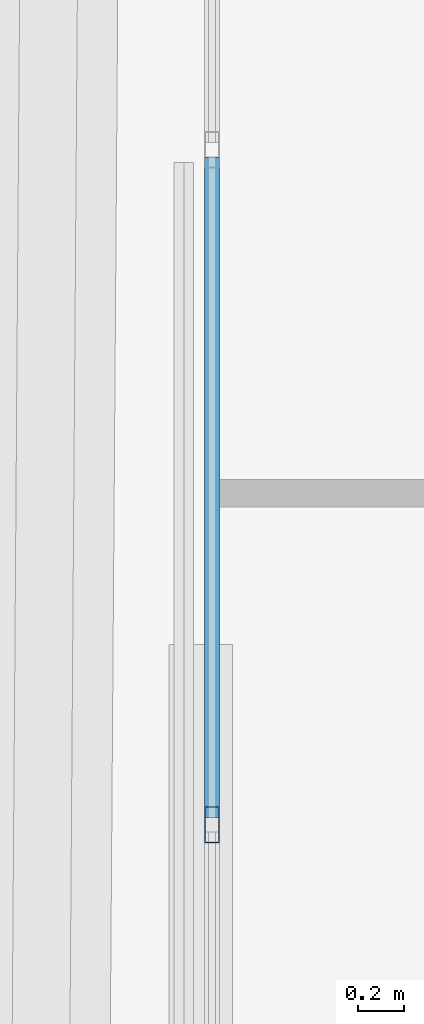
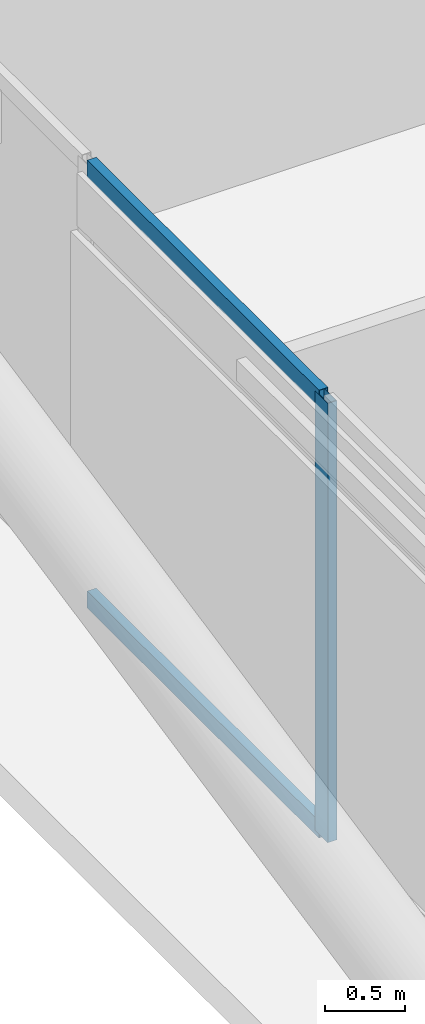
# One storey, part 5 of 50: 3 members, 1 element without a shape of its own.
"""IFC4 building model written with IfcOpenShell, lengths in metres."""

from ifc_helpers import new_model, si_unit, direction, frame, origin, origin_2d, place, context, subcontext, project, spatial, hollow_rectangle, extrude, material, layer, layer_set, material_profile, profile_set, type_object, element, aggregate, save


model = new_model("IFC4")

# Units and contexts
model_context = context("Model", 3, precision=1e-05, world=origin(), true_north=direction((0.0, 1.0)))
body_context = subcontext(model_context, "Body", "Model", "MODEL_VIEW")
ifc_project = project(units=[si_unit("LENGTHUNIT", "METRE"), si_unit("AREAUNIT", "SQUARE_METRE"), si_unit("VOLUMEUNIT", "CUBIC_METRE"), si_unit("PLANEANGLEUNIT", "RADIAN"), si_unit("MASSUNIT", "GRAM", prefix="KILO")], contexts=[model_context])

# Site, building, storey
site_placement = place(None, origin())
site = spatial("IfcSite", under=ifc_project, at=site_placement, CompositionType="ELEMENT")
building_placement = place(site_placement, origin())
building = spatial("IfcBuilding", under=site, at=building_placement, Name="Caelvoria Tower", CompositionType="ELEMENT")
storey_placement = place(building_placement, frame((0.0, 0.0, 71.199951171875)))
storey = spatial("IfcBuildingStorey", under=building, at=storey_placement, Name="L18", CompositionType="ELEMENT", Elevation=71.199951171875)

# Curtain wall, members
ifc_material_1 = material(Name="Anodised Bronze Aluminium and Low-E Glass", Category="aluminium")
ifc_layer = layer(ifc_material_1, 0.18505859375, Name="Anodised Bronze Aluminium and Low-E Glass")
ifc_layer_set = layer_set([ifc_layer], Name="CW System 2 Lower Tower Bronze Unitised Facade - Anodised Bronze Aluminium and Low-E Glass")
curtain_wall_type = type_object("IfcCurtainWallType", Name="CW System 2 Lower Tower Bronze Unitised Facade", PredefinedType="NOTDEFINED", material=ifc_layer_set)
curtain_wall_placement = place(storey_placement, origin())
curtain_wall = element("IfcCurtainWall", 1, at=curtain_wall_placement, inside=storey, type_object=curtain_wall_type, Name="CW-02 Curtain Wall L18-E6", PredefinedType="NOTDEFINED")
ifc_material_2 = material(Name="Anodised Bronze Architectural Aluminium", Category="aluminium")
ifc_material_profile_1 = material_profile(ifc_material_2, hollow_rectangle(XDim=0.06494140625, YDim=0.159912109375, WallThickness=0.00390625, at=origin_2d()), Name="Anodised Bronze Architectural Aluminium")
ifc_profile_set_1 = profile_set([ifc_material_profile_1], Name="CW_MULL_65X160 - Anodised Bronze Architectural Aluminium")
member_type_1 = type_object("IfcMemberType", Name="Curtain Wall Mullion 65x160 Bronze Aluminium", PredefinedType="MULLION", material=ifc_profile_set_1)
member_1_placement = place(storey_placement, frame((21.179931640625, 20.13330078125, 0.0), z_axis=(0.0, 0.0, 1.0), x_axis=(1.0, 0.0, 0.0)))
member_1 = element("IfcMember", 2, at=member_1_placement, type_object=member_type_1, Name="CW-02 mullion 11", PredefinedType="MULLION", context=body_context, shape_type="SweptSolid", body=[
    extrude(hollow_rectangle(XDim=0.06494140625, YDim=0.159912109375, WallThickness=0.00390625, at=origin_2d()), origin(), (0.0, 0.0, 1.0), 3.360107421875),
])
ifc_material_profile_2 = material_profile(ifc_material_2, hollow_rectangle(XDim=0.06494140625, YDim=0.1298828125, WallThickness=0.00341796875, at=origin_2d()), Name="Anodised Bronze Architectural Aluminium")
ifc_profile_set_2 = profile_set([ifc_material_profile_2], Name="CW_TRAN_65X130 - Anodised Bronze Architectural Aluminium")
member_type_2 = type_object("IfcMemberType", Name="Curtain Wall Transom 65x130 Bronze Aluminium", PredefinedType="USERDEFINED", material=ifc_profile_set_2)
member_2_placement = place(storey_placement, frame((21.179931640625, 23.0673828125, 0.032470703125), z_axis=(0.0, -1.0, 0.0), x_axis=(1.0, 0.0, 0.0)))
member_2 = element("IfcMember", 3, at=member_2_placement, type_object=member_type_2, Name="CW-02 transom 10.1", ObjectType="TRANSOM", PredefinedType="USERDEFINED", context=body_context, shape_type="SweptSolid", body=[
    extrude(hollow_rectangle(XDim=0.06494140625, YDim=0.1298828125, WallThickness=0.00341796875, at=origin_2d()), origin(), (0.0, 0.0, 1.0), 2.901611328125),
])
member_3_placement = place(storey_placement, frame((21.179931640625, 23.0673828125, 3.32763671875), z_axis=(0.0, -1.0, 0.0), x_axis=(1.0, 0.0, 0.0)))
member_3 = element("IfcMember", 4, at=member_3_placement, type_object=member_type_2, Name="CW-02 transom 10.2", ObjectType="TRANSOM", PredefinedType="USERDEFINED", context=body_context, shape_type="SweptSolid", body=[
    extrude(hollow_rectangle(XDim=0.06494140625, YDim=0.1298828125, WallThickness=0.00341796875, at=origin_2d()), origin(), (0.0, 0.0, 1.0), 2.901611328125),
])
aggregate(curtain_wall, [member_1, member_2, member_3])

save(model, "model.ifc")
